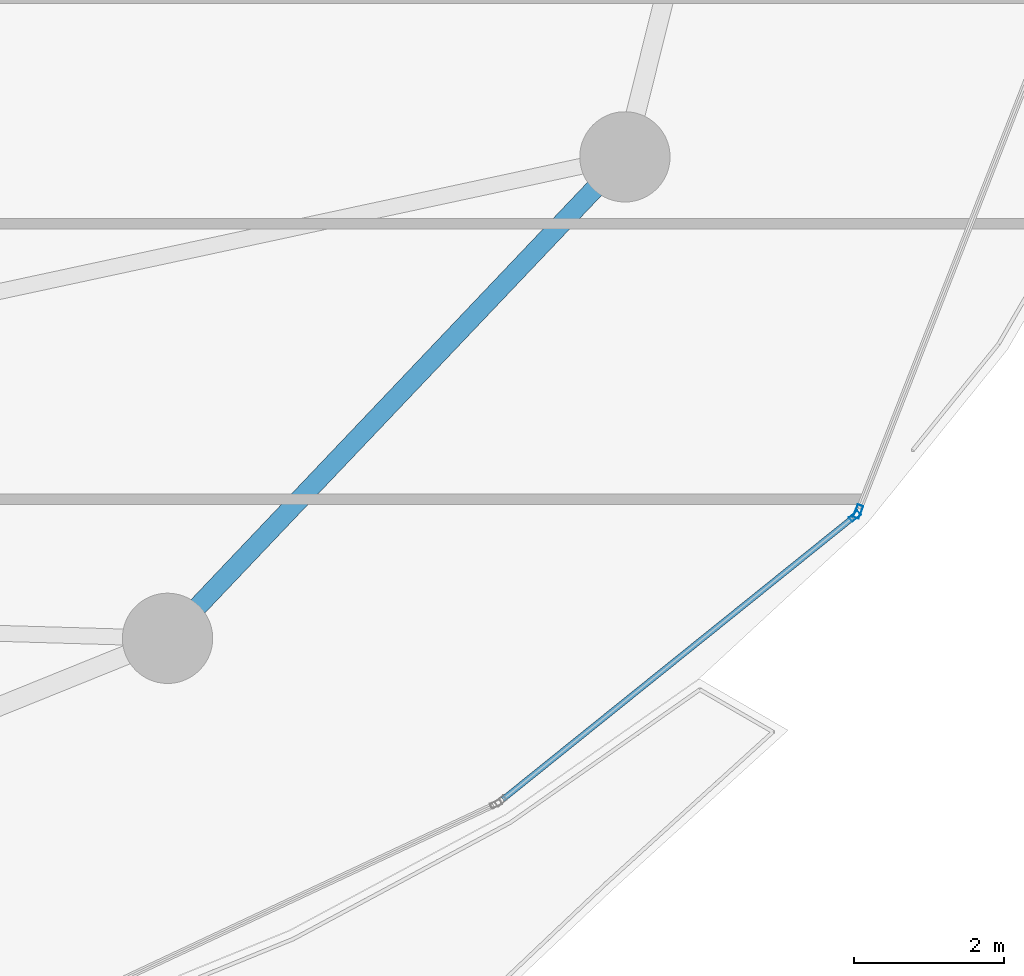
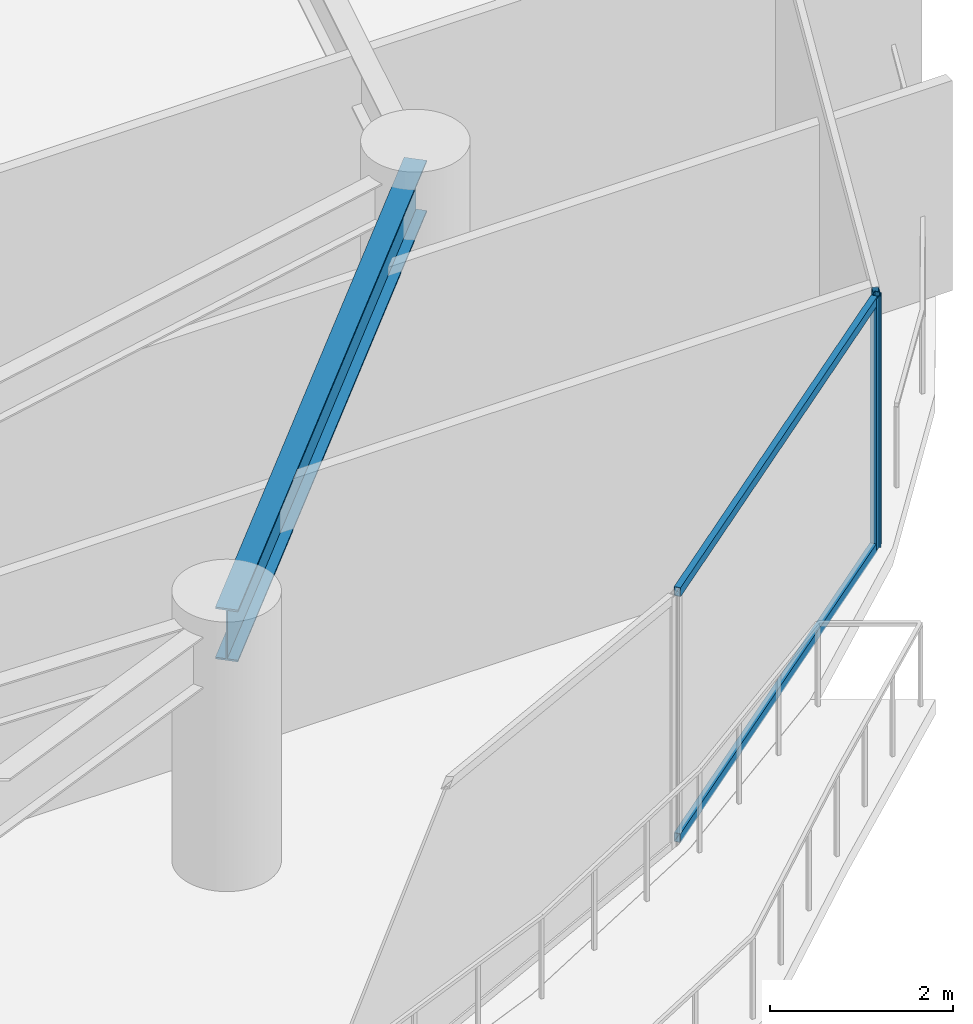
# One storey, part 15 of 34: 4 members, 1 beam, 2 elements without a shape of their own.
"""IFC4 building model written with IfcOpenShell, lengths in metres."""

import ifcopenshell
import ifcopenshell.guid

model = None  # the IFC model being written
_history = None  # IfcOwnerHistory: only IFC2X3 demands one
_inside = {}  # id of a spatial element -> (the spatial element, [elements in it])
_under = {}  # id of a project, library or spatial element -> (it, [spatial elements below it])
_declared = {}  # id of a project -> (the project, [libraries it declares])
_typed = {}  # id of a type object -> (the type object, [elements of that type])
_made_of = {}  # id of a material, layer set ... -> (it, [elements and type objects made of it])


def new_model(schema):
    """Start an empty IFC model of exactly this schema.

    Asked for "IFC4X3", IfcOpenShell would pick the latest addendum, in which some entities
    have other attributes; the version numbers below select the first issue.
    IFC2X3 requires an IfcOwnerHistory on every rooted entity: one is made here for all.
    """
    global model, _history
    if schema == "IFC4X3":
        model = ifcopenshell.file(schema_version=(4, 3, 0, 0))
    else:
        model = ifcopenshell.file(schema=schema)
    _inside.clear()
    _under.clear()
    _declared.clear()
    _typed.clear()
    _made_of.clear()
    _history = None
    if model.schema == "IFC2X3":
        org = make("IfcOrganization", Name="unknown")
        user = make(
            "IfcPersonAndOrganization",
            ThePerson=make("IfcPerson", FamilyName="unknown"),
            TheOrganization=org,
        )
        app = make(
            "IfcApplication",
            ApplicationDeveloper=org,
            Version="unknown",
            ApplicationFullName="unknown",
            ApplicationIdentifier="unknown",
        )
        _history = make(
            "IfcOwnerHistory",
            OwningUser=user,
            OwningApplication=app,
            ChangeAction="ADDED",
            CreationDate=0,
        )
    return model


def make(cls, **values):
    """One entity of the class cls with the attributes given. An attribute that is None is left unset."""
    return model.create_entity(
        cls, **{name: value for name, value in values.items() if value is not None}
    )


def rooted(cls, **values):
    """An entity with a GlobalId (a new one), such as an element, a storey or a relation."""
    return make(cls, GlobalId=ifcopenshell.guid.new(), OwnerHistory=_history, **values)


def si_unit(unit_type, name, prefix=None):
    """IfcSIUnit, for example si_unit("LENGTHUNIT", "METRE", prefix="MILLI")."""
    return make("IfcSIUnit", UnitType=unit_type, Prefix=prefix, Name=name)


def assignment(units):
    """IfcUnitAssignment: the units of a project."""
    return None if units is None else make("IfcUnitAssignment", Units=units)


def point(xyz):
    """IfcCartesianPoint."""
    return None if xyz is None else make("IfcCartesianPoint", Coordinates=xyz)


def direction(xyz):
    """IfcDirection."""
    return None if xyz is None else make("IfcDirection", DirectionRatios=xyz)


def frame(location, z_axis=None, x_axis=None):
    """IfcAxis2Placement3D, a coordinate frame: its origin and axes. An axis left out is left unset."""
    return make(
        "IfcAxis2Placement3D",
        Location=point(location),
        Axis=direction(z_axis),
        RefDirection=direction(x_axis),
    )


def frame_2d(location, x_axis=None):
    """IfcAxis2Placement2D, a coordinate frame in the plane: its origin and x axis."""
    return make(
        "IfcAxis2Placement2D", Location=point(location), RefDirection=direction(x_axis)
    )


def origin():
    """The frame at (0, 0, 0) with its axes left unset."""
    return frame((0.0, 0.0, 0.0))


def origin_2d():
    """The frame at (0, 0) in the plane with its x axis left unset."""
    return frame_2d((0.0, 0.0))


def place(relative_to, where):
    """IfcLocalPlacement: puts the frame where relative to a parent placement (None: the world)."""
    return make(
        "IfcLocalPlacement", PlacementRelTo=relative_to, RelativePlacement=where
    )


def context(
    kind, dimensions, precision=None, world=None, true_north=None, identifier=None
):
    """IfcGeometricRepresentationContext, for example the 3D "Model" context."""
    return make(
        "IfcGeometricRepresentationContext",
        ContextIdentifier=identifier,
        ContextType=kind,
        CoordinateSpaceDimension=dimensions,
        Precision=precision,
        WorldCoordinateSystem=world,
        TrueNorth=true_north,
    )


def subcontext(parent, identifier, kind, view, scale=None):
    """IfcGeometricRepresentationSubContext, for example "Body" below "Model"."""
    return make(
        "IfcGeometricRepresentationSubContext",
        ContextIdentifier=identifier,
        ContextType=kind,
        ParentContext=parent,
        TargetScale=scale,
        TargetView=view,
    )


def project(units=None, contexts=None):
    """IfcProject with its units and contexts."""
    return rooted(
        "IfcProject",
        Name="project",
        RepresentationContexts=contexts,
        UnitsInContext=assignment(units),
    )


def spatial(cls, under=None, at=None, **own):
    """A site, building, storey or space (cls), placed at a placement, below another one or the project."""
    s = rooted(cls, ObjectPlacement=at, **own)
    if under is not None:
        _under.setdefault(under.id(), (under, []))[1].append(s)
    return s


def profile(cls, at=None, kind="AREA", **sizes):
    """A parametric profile (cls). Its sizes go by their IFC names, for example OverallWidth=200.0."""
    return make(cls, ProfileType=kind, Position=at, **sizes)


def hollow_rectangle(**sizes):
    """IfcRectangleHollowProfileDef."""
    return profile("IfcRectangleHollowProfileDef", **sizes)


def i_section(**sizes):
    """IfcIShapeProfileDef."""
    return profile("IfcIShapeProfileDef", **sizes)


def extrude(swept, where, along, depth):
    """IfcExtrudedAreaSolid: the profile swept, set in the frame where, extruded along a direction by depth."""
    return make(
        "IfcExtrudedAreaSolid",
        SweptArea=swept,
        Position=where,
        ExtrudedDirection=direction(along),
        Depth=depth,
    )


def shape(context_of_items, identifier, shape_type, items):
    """IfcShapeRepresentation: the items that make up one representation, for example the "Body"."""
    return make(
        "IfcShapeRepresentation",
        ContextOfItems=context_of_items,
        RepresentationIdentifier=identifier,
        RepresentationType=shape_type,
        Items=items,
    )


def material(Name=None, Category=None):
    """IfcMaterial."""
    return make("IfcMaterial", Name=Name, Category=Category)


def layer(
    of_material, thickness, ventilated=None, Name=None, Category=None, Priority=None
):
    """IfcMaterialLayer: one layer of a wall or slab, of a material (None: an air gap)."""
    return make(
        "IfcMaterialLayer",
        Material=of_material,
        LayerThickness=thickness,
        IsVentilated=ventilated,
        Name=Name,
        Category=Category,
        Priority=Priority,
    )


def layer_set(layers, Name=None):
    """IfcMaterialLayerSet."""
    return make("IfcMaterialLayerSet", MaterialLayers=layers, LayerSetName=Name)


def material_profile(
    of_material, cross_section, Name=None, Category=None, Priority=None
):
    """IfcMaterialProfile: a cross section and its material."""
    return make(
        "IfcMaterialProfile",
        Name=Name,
        Material=of_material,
        Profile=cross_section,
        Priority=Priority,
        Category=Category,
    )


def profile_set(profiles, Name=None, composite=None):
    """IfcMaterialProfileSet."""
    return make(
        "IfcMaterialProfileSet",
        Name=Name,
        MaterialProfiles=profiles,
        CompositeProfile=composite,
    )


def made_of(thing, what):
    """Note that an element or type object is made of a material, layer set ...; save() writes the relation."""
    if what is not None:
        _made_of.setdefault(what.id(), (what, []))[1].append(thing)
    return thing


def type_object(cls, material=None, **own):
    """A type object (cls), such as IfcWallType, which elements share."""
    return made_of(rooted(cls, **own), material)


def element(
    cls,
    number,
    at=None,
    inside=None,
    cuts=None,
    type_object=None,
    material=None,
    context=None,
    identifier="Body",
    shape_type=None,
    held_by="IfcProductDefinitionShape",
    body=None,
    shapes=None,
    **own,
):
    """One element of the class cls, such as IfcWall. Its Tag is "e" and its number.

    at: its placement. inside: the storey or other place that contains it. cuts: it is an
    opening in that element (IfcRelVoidsElement). A single representation is given by context,
    identifier, shape_type and body (its items); several are given by shapes. held_by: the class
    of the entity that holds the representations. save() writes the other relations.
    """
    e = rooted(cls, Tag="e%d" % number, ObjectPlacement=at, **own)
    if body is not None:
        shapes = [shape(context, identifier, shape_type, body)]
    if shapes is not None:
        e.Representation = make(held_by, Representations=shapes)
    if inside is not None:
        _inside.setdefault(inside.id(), (inside, []))[1].append(e)
    if cuts is not None:
        rooted(
            "IfcRelVoidsElement", RelatingBuildingElement=cuts, RelatedOpeningElement=e
        )
    if type_object is not None:
        _typed.setdefault(type_object.id(), (type_object, []))[1].append(e)
    return made_of(e, material)


def aggregate(whole, parts):
    """IfcRelAggregates: a whole, such as a stair, and the parts it consists of."""
    return rooted("IfcRelAggregates", RelatingObject=whole, RelatedObjects=parts)


def save(model, path):
    """Write the relations noted so far, then the file.

    IfcRelAggregates (storeys below a building ...), IfcRelContainedInSpatialStructure (elements
    in a storey), IfcRelDefinesByType, IfcRelAssociatesMaterial and IfcRelDeclares: one each for
    every whole, place, type object, material and project.
    """
    for whole, parts in _under.values():
        aggregate(whole, parts)
    for where, things in _inside.values():
        rooted(
            "IfcRelContainedInSpatialStructure",
            RelatedElements=things,
            RelatingStructure=where,
        )
    for kind, things in _typed.values():
        rooted("IfcRelDefinesByType", RelatedObjects=things, RelatingType=kind)
    for what, things in _made_of.values():
        rooted("IfcRelAssociatesMaterial", RelatedObjects=things, RelatingMaterial=what)
    for by, libraries in _declared.values():
        rooted("IfcRelDeclares", RelatingContext=by, RelatedDefinitions=libraries)
    model.write(path)


model = new_model("IFC4")

# Units and contexts
model_context = context("Model", 3, precision=1e-05, world=origin(), true_north=direction((0.0, 1.0)))
body_context = subcontext(model_context, "Body", "Model", "MODEL_VIEW")
ifc_project = project(units=[si_unit("LENGTHUNIT", "METRE"), si_unit("AREAUNIT", "SQUARE_METRE"), si_unit("VOLUMEUNIT", "CUBIC_METRE"), si_unit("PLANEANGLEUNIT", "RADIAN"), si_unit("MASSUNIT", "GRAM", prefix="KILO")], contexts=[model_context])

# Site, building, storey
site_placement = place(None, origin())
site = spatial("IfcSite", under=ifc_project, at=site_placement, CompositionType="ELEMENT")
building_placement = place(site_placement, origin())
building = spatial("IfcBuilding", under=site, at=building_placement, Name="Kazevale Care Tower and Concert Hall", CompositionType="ELEMENT")
storey_placement = place(building_placement, frame((0.0, 0.0, 174.60009765625)))
storey = spatial("IfcBuildingStorey", under=building, at=storey_placement, Name="L46", CompositionType="ELEMENT", Elevation=174.60009765625)

# Curtain wall, member
ifc_material_1 = material(Name="Aluminium 6063-T6 and Low-E Glass", Category="aluminium")
ifc_layer_1 = layer(ifc_material_1, 0.179931640625)
ifc_layer_set_1 = layer_set([ifc_layer_1], Name="Aluminium 6063-T6 and Low-E Glass")
curtain_wall_type_1 = type_object("IfcCurtainWallType", Name="Waist & Upper Residential Curtain Wall CW-4", PredefinedType="NOTDEFINED", material=ifc_layer_set_1)
curtain_wall_1_placement = place(storey_placement, origin())
curtain_wall_1 = element("IfcCurtainWall", 1, at=curtain_wall_1_placement, inside=storey, type_object=curtain_wall_type_1, Name="cw:L46:f01", PredefinedType="NOTDEFINED")
ifc_material_2 = material(Name="Aluminium 6063-T6", Category="aluminium")
ifc_material_profile_1 = material_profile(ifc_material_2, hollow_rectangle(XDim=0.080078125, YDim=0.179931640625, WallThickness=0.0048828125, at=origin_2d()), Name="ALU80x180x5")
ifc_profile_set_1 = profile_set([ifc_material_profile_1], Name="Aluminium 6063-T6")
member_type_1 = type_object("IfcMemberType", Name="CW-4 Mullion ALU80x180x5", PredefinedType="MULLION", material=ifc_profile_set_1)
member_1_placement = place(storey_placement, frame((74.010498046875, 24.67529296875, 0.0), z_axis=(0.0, 0.0, 1.0), x_axis=(0.931351746651, -0.36412075471, 0.0)))
member_1 = element("IfcMember", 2, at=member_1_placement, type_object=member_type_1, Name="CW-4 mullion 2", PredefinedType="MULLION", context=body_context, shape_type="SweptSolid", body=[
    extrude(hollow_rectangle(XDim=0.080078125, YDim=0.179931640625, WallThickness=0.0048828125, at=origin_2d()), origin(), (0.0, 0.0, 1.0), 3.35986328125),
])
aggregate(curtain_wall_1, [member_1])

# Curtain wall, members
ifc_layer_2 = layer(ifc_material_1, 0.179931640625)
ifc_layer_set_2 = layer_set([ifc_layer_2], Name="Aluminium 6063-T6 and Low-E Glass")
curtain_wall_type_2 = type_object("IfcCurtainWallType", Name="Sheltered Concave Balcony Curtain Wall CW-5", PredefinedType="NOTDEFINED", material=ifc_layer_set_2)
curtain_wall_2_placement = place(storey_placement, origin())
curtain_wall_2 = element("IfcCurtainWall", 3, at=curtain_wall_2_placement, inside=storey, type_object=curtain_wall_type_2, Name="cw:L46:f02", PredefinedType="NOTDEFINED")
ifc_material_profile_2 = material_profile(ifc_material_2, hollow_rectangle(XDim=0.074951171875, YDim=0.14990234375, WallThickness=0.00390625, at=origin_2d()), Name="ALU75x150x4")
ifc_profile_set_2 = profile_set([ifc_material_profile_2], Name="Aluminium 6063-T6")
member_type_2 = type_object("IfcMemberType", Name="CW-5 Mullion ALU75x150x4", PredefinedType="MULLION", material=ifc_profile_set_2)
member_2_placement = place(storey_placement, frame((73.966796875, 24.614501953125, 0.0), z_axis=(0.0, 0.0, 1.0), x_axis=(0.626905357502, -0.779095419531, 0.0)))
member_2 = element("IfcMember", 4, at=member_2_placement, type_object=member_type_2, Name="CW-5 mullion 1", PredefinedType="MULLION", context=body_context, shape_type="SweptSolid", body=[
    extrude(hollow_rectangle(XDim=0.074951171875, YDim=0.14990234375, WallThickness=0.00390625, at=origin_2d()), origin(), (0.0, 0.0, 1.0), 3.35986328125),
])
ifc_material_profile_3 = material_profile(ifc_material_2, hollow_rectangle(XDim=0.074951171875, YDim=0.1201171875, WallThickness=0.00390625, at=origin_2d()), Name="ALU75x120x4")
ifc_profile_set_3 = profile_set([ifc_material_profile_3], Name="Aluminium 6063-T6")
member_type_3 = type_object("IfcMemberType", Name="CW-5 Transom ALU75x120x4", PredefinedType="USERDEFINED", material=ifc_profile_set_3)
member_3_placement = place(storey_placement, frame((73.9375, 24.591064453125, 0.037353515625), z_axis=(-0.779097461373, -0.626902819966, 0.0), x_axis=(0.626902819966, -0.779097461373, 0.0)))
member_3 = element("IfcMember", 5, at=member_3_placement, type_object=member_type_3, Name="CW-5 transom 1.1", ObjectType="TRANSOM", PredefinedType="USERDEFINED", context=body_context, shape_type="SweptSolid", body=[
    extrude(hollow_rectangle(XDim=0.074951171875, YDim=0.1201171875, WallThickness=0.00390625, at=origin_2d()), origin(), (0.0, 0.0, 1.0), 5.96728515625),
])
member_4_placement = place(storey_placement, frame((73.9375, 24.591064453125, 3.322509765625), z_axis=(-0.779097461373, -0.626902819966, 0.0), x_axis=(0.626902819966, -0.779097461373, 0.0)))
member_4 = element("IfcMember", 6, at=member_4_placement, type_object=member_type_3, Name="CW-5 transom 1.2", ObjectType="TRANSOM", PredefinedType="USERDEFINED", context=body_context, shape_type="SweptSolid", body=[
    extrude(hollow_rectangle(XDim=0.074951171875, YDim=0.1201171875, WallThickness=0.00390625, at=origin_2d()), origin(), (0.0, 0.0, 1.0), 5.96728515625),
])
aggregate(curtain_wall_2, [member_2, member_3, member_4])

# Beam
ifc_material_3 = material(Name="Steel ASTM A572 Gr 50", Category="steel")
ifc_material_profile_4 = material_profile(ifc_material_3, i_section(OverallWidth=0.256103515625, OverallDepth=0.693115234375, WebThickness=0.014404296875, FlangeThickness=0.023681640625, at=origin_2d()), Name="W690x170")
ifc_profile_set_4 = profile_set([ifc_material_profile_4], Name="Steel ASTM A572 Gr 50")
beam_type = type_object("IfcBeamType", Name="Waist Ring Beam W690x170", PredefinedType="BEAM", material=ifc_profile_set_4)
beam_placement = place(storey_placement, frame((64.830078125, 22.989990234375, 3.013427734375), z_axis=(0.688745100728, 0.725003576697, 0.0), x_axis=(-0.725003576697, 0.688745100728, 0.0)))
element("IfcBeam", 7, at=beam_placement, inside=storey, type_object=beam_type, Name="beam:L46:ring:15", PredefinedType="BEAM", context=body_context, shape_type="SweptSolid", body=[
    extrude(i_section(OverallWidth=0.256103515625, OverallDepth=0.693115234375, WebThickness=0.014404296875, FlangeThickness=0.023681640625, at=origin_2d()), origin(), (0.0, 0.0, 1.0), 8.827392578125),
])

save(model, "model.ifc")
